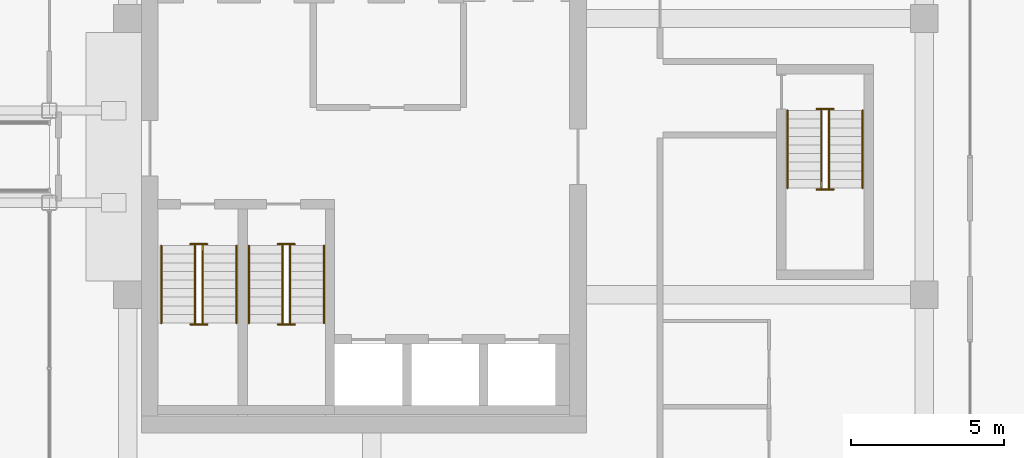
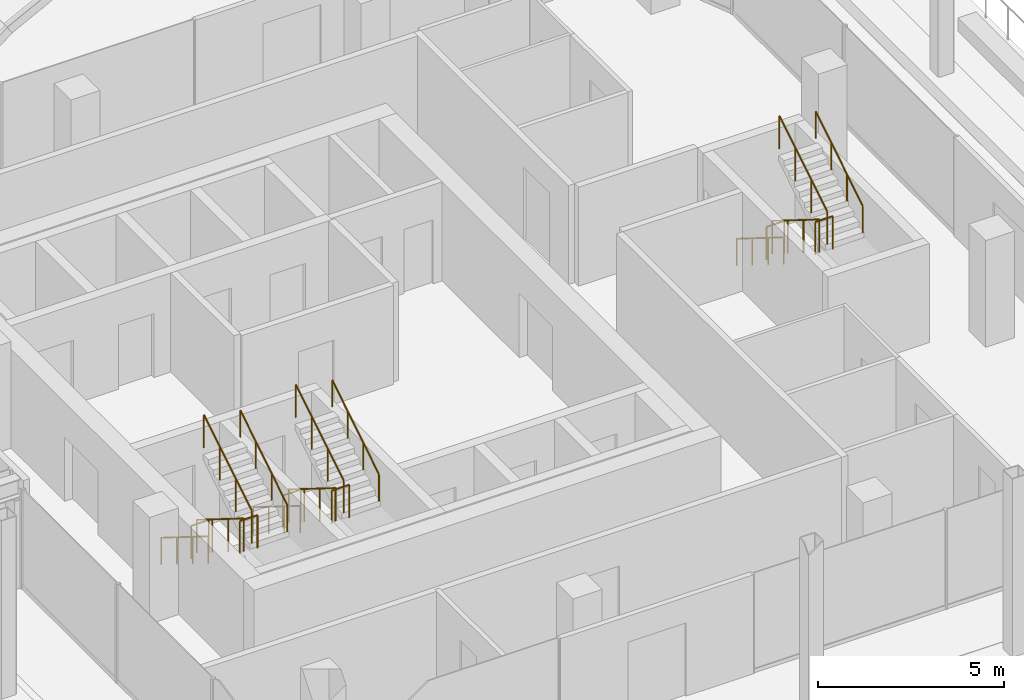
# One storey, part 33 of 33: 18 railings.
"""IFC4 building model written with IfcOpenShell, lengths in metres."""

import ifcopenshell
import ifcopenshell.guid

model = None  # the IFC model being written
_history = None  # IfcOwnerHistory: only IFC2X3 demands one
_inside = {}  # id of a spatial element -> (the spatial element, [elements in it])
_under = {}  # id of a project, library or spatial element -> (it, [spatial elements below it])
_declared = {}  # id of a project -> (the project, [libraries it declares])
_typed = {}  # id of a type object -> (the type object, [elements of that type])
_made_of = {}  # id of a material, layer set ... -> (it, [elements and type objects made of it])


def new_model(schema):
    """Start an empty IFC model of exactly this schema.

    Asked for "IFC4X3", IfcOpenShell would pick the latest addendum, in which some entities
    have other attributes; the version numbers below select the first issue.
    IFC2X3 requires an IfcOwnerHistory on every rooted entity: one is made here for all.
    """
    global model, _history
    if schema == "IFC4X3":
        model = ifcopenshell.file(schema_version=(4, 3, 0, 0))
    else:
        model = ifcopenshell.file(schema=schema)
    _inside.clear()
    _under.clear()
    _declared.clear()
    _typed.clear()
    _made_of.clear()
    _history = None
    if model.schema == "IFC2X3":
        org = make("IfcOrganization", Name="unknown")
        user = make(
            "IfcPersonAndOrganization",
            ThePerson=make("IfcPerson", FamilyName="unknown"),
            TheOrganization=org,
        )
        app = make(
            "IfcApplication",
            ApplicationDeveloper=org,
            Version="unknown",
            ApplicationFullName="unknown",
            ApplicationIdentifier="unknown",
        )
        _history = make(
            "IfcOwnerHistory",
            OwningUser=user,
            OwningApplication=app,
            ChangeAction="ADDED",
            CreationDate=0,
        )
    return model


def make(cls, **values):
    """One entity of the class cls with the attributes given. An attribute that is None is left unset."""
    return model.create_entity(
        cls, **{name: value for name, value in values.items() if value is not None}
    )


def rooted(cls, **values):
    """An entity with a GlobalId (a new one), such as an element, a storey or a relation."""
    return make(cls, GlobalId=ifcopenshell.guid.new(), OwnerHistory=_history, **values)


def si_unit(unit_type, name, prefix=None):
    """IfcSIUnit, for example si_unit("LENGTHUNIT", "METRE", prefix="MILLI")."""
    return make("IfcSIUnit", UnitType=unit_type, Prefix=prefix, Name=name)


def assignment(units):
    """IfcUnitAssignment: the units of a project."""
    return None if units is None else make("IfcUnitAssignment", Units=units)


def point(xyz):
    """IfcCartesianPoint."""
    return None if xyz is None else make("IfcCartesianPoint", Coordinates=xyz)


def direction(xyz):
    """IfcDirection."""
    return None if xyz is None else make("IfcDirection", DirectionRatios=xyz)


def frame(location, z_axis=None, x_axis=None):
    """IfcAxis2Placement3D, a coordinate frame: its origin and axes. An axis left out is left unset."""
    return make(
        "IfcAxis2Placement3D",
        Location=point(location),
        Axis=direction(z_axis),
        RefDirection=direction(x_axis),
    )


def frame_2d(location, x_axis=None):
    """IfcAxis2Placement2D, a coordinate frame in the plane: its origin and x axis."""
    return make(
        "IfcAxis2Placement2D", Location=point(location), RefDirection=direction(x_axis)
    )


def origin():
    """The frame at (0, 0, 0) with its axes left unset."""
    return frame((0.0, 0.0, 0.0))


def origin_2d():
    """The frame at (0, 0) in the plane with its x axis left unset."""
    return frame_2d((0.0, 0.0))


def place(relative_to, where):
    """IfcLocalPlacement: puts the frame where relative to a parent placement (None: the world)."""
    return make(
        "IfcLocalPlacement", PlacementRelTo=relative_to, RelativePlacement=where
    )


def context(
    kind, dimensions, precision=None, world=None, true_north=None, identifier=None
):
    """IfcGeometricRepresentationContext, for example the 3D "Model" context."""
    return make(
        "IfcGeometricRepresentationContext",
        ContextIdentifier=identifier,
        ContextType=kind,
        CoordinateSpaceDimension=dimensions,
        Precision=precision,
        WorldCoordinateSystem=world,
        TrueNorth=true_north,
    )


def subcontext(parent, identifier, kind, view, scale=None):
    """IfcGeometricRepresentationSubContext, for example "Body" below "Model"."""
    return make(
        "IfcGeometricRepresentationSubContext",
        ContextIdentifier=identifier,
        ContextType=kind,
        ParentContext=parent,
        TargetScale=scale,
        TargetView=view,
    )


def project(units=None, contexts=None):
    """IfcProject with its units and contexts."""
    return rooted(
        "IfcProject",
        Name="project",
        RepresentationContexts=contexts,
        UnitsInContext=assignment(units),
    )


def spatial(cls, under=None, at=None, **own):
    """A site, building, storey or space (cls), placed at a placement, below another one or the project."""
    s = rooted(cls, ObjectPlacement=at, **own)
    if under is not None:
        _under.setdefault(under.id(), (under, []))[1].append(s)
    return s


def profile(cls, at=None, kind="AREA", **sizes):
    """A parametric profile (cls). Its sizes go by their IFC names, for example OverallWidth=200.0."""
    return make(cls, ProfileType=kind, Position=at, **sizes)


def circle(**sizes):
    """IfcCircleProfileDef."""
    return profile("IfcCircleProfileDef", **sizes)


def extrude(swept, where, along, depth):
    """IfcExtrudedAreaSolid: the profile swept, set in the frame where, extruded along a direction by depth."""
    return make(
        "IfcExtrudedAreaSolid",
        SweptArea=swept,
        Position=where,
        ExtrudedDirection=direction(along),
        Depth=depth,
    )


def shape(context_of_items, identifier, shape_type, items):
    """IfcShapeRepresentation: the items that make up one representation, for example the "Body"."""
    return make(
        "IfcShapeRepresentation",
        ContextOfItems=context_of_items,
        RepresentationIdentifier=identifier,
        RepresentationType=shape_type,
        Items=items,
    )


def material(Name=None, Category=None):
    """IfcMaterial."""
    return make("IfcMaterial", Name=Name, Category=Category)


def made_of(thing, what):
    """Note that an element or type object is made of a material, layer set ...; save() writes the relation."""
    if what is not None:
        _made_of.setdefault(what.id(), (what, []))[1].append(thing)
    return thing


def type_object(cls, material=None, **own):
    """A type object (cls), such as IfcWallType, which elements share."""
    return made_of(rooted(cls, **own), material)


def element(
    cls,
    number,
    at=None,
    inside=None,
    cuts=None,
    type_object=None,
    material=None,
    context=None,
    identifier="Body",
    shape_type=None,
    held_by="IfcProductDefinitionShape",
    body=None,
    shapes=None,
    **own,
):
    """One element of the class cls, such as IfcWall. Its Tag is "e" and its number.

    at: its placement. inside: the storey or other place that contains it. cuts: it is an
    opening in that element (IfcRelVoidsElement). A single representation is given by context,
    identifier, shape_type and body (its items); several are given by shapes. held_by: the class
    of the entity that holds the representations. save() writes the other relations.
    """
    e = rooted(cls, Tag="e%d" % number, ObjectPlacement=at, **own)
    if body is not None:
        shapes = [shape(context, identifier, shape_type, body)]
    if shapes is not None:
        e.Representation = make(held_by, Representations=shapes)
    if inside is not None:
        _inside.setdefault(inside.id(), (inside, []))[1].append(e)
    if cuts is not None:
        rooted(
            "IfcRelVoidsElement", RelatingBuildingElement=cuts, RelatedOpeningElement=e
        )
    if type_object is not None:
        _typed.setdefault(type_object.id(), (type_object, []))[1].append(e)
    return made_of(e, material)


def aggregate(whole, parts):
    """IfcRelAggregates: a whole, such as a stair, and the parts it consists of."""
    return rooted("IfcRelAggregates", RelatingObject=whole, RelatedObjects=parts)


def save(model, path):
    """Write the relations noted so far, then the file.

    IfcRelAggregates (storeys below a building ...), IfcRelContainedInSpatialStructure (elements
    in a storey), IfcRelDefinesByType, IfcRelAssociatesMaterial and IfcRelDeclares: one each for
    every whole, place, type object, material and project.
    """
    for whole, parts in _under.values():
        aggregate(whole, parts)
    for where, things in _inside.values():
        rooted(
            "IfcRelContainedInSpatialStructure",
            RelatedElements=things,
            RelatingStructure=where,
        )
    for kind, things in _typed.values():
        rooted("IfcRelDefinesByType", RelatedObjects=things, RelatingType=kind)
    for what, things in _made_of.values():
        rooted("IfcRelAssociatesMaterial", RelatedObjects=things, RelatingMaterial=what)
    for by, libraries in _declared.values():
        rooted("IfcRelDeclares", RelatingContext=by, RelatedDefinitions=libraries)
    model.write(path)


model = new_model("IFC4")

# Units and contexts
model_context = context("Model", 3, precision=1e-05, world=origin(), true_north=direction((0.0, 1.0)))
body_context = subcontext(model_context, "Body", "Model", "MODEL_VIEW")
ifc_project = project(units=[si_unit("LENGTHUNIT", "METRE"), si_unit("AREAUNIT", "SQUARE_METRE"), si_unit("VOLUMEUNIT", "CUBIC_METRE"), si_unit("PLANEANGLEUNIT", "RADIAN"), si_unit("MASSUNIT", "GRAM", prefix="KILO")], contexts=[model_context])

# Site, building, storey
site_placement = place(None, origin())
site = spatial("IfcSite", under=ifc_project, at=site_placement, CompositionType="ELEMENT")
building_placement = place(site_placement, origin())
building = spatial("IfcBuilding", under=site, at=building_placement, Name="Plateau Cross Towers", CompositionType="ELEMENT")
storey_placement = place(building_placement, frame((0.0, 0.0, 26.800048828125)))
storey = spatial("IfcBuildingStorey", under=building, at=storey_placement, Name="L05", CompositionType="ELEMENT", Elevation=26.800048828125)

# Railings
ifc_material_1 = material(Name="Stainless steel and toughened glass", Category="steel")
railing_type_1 = type_object("IfcRailingType", Name="RL-GUARD-1100", PredefinedType="GUARDRAIL", material=ifc_material_1)
railing_1_placement = place(storey_placement, frame((76.75, 6.10009765625, 0.175048828125)))
element("IfcRailing", 1, at=railing_1_placement, inside=storey, type_object=railing_type_1, Name="L05 SB-1 stair guard 1", PredefinedType="GUARDRAIL", context=body_context, shape_type="SweptSolid", body=[
    extrude(circle(Radius=0.02392578125, at=origin_2d()), frame((0.0, 0.0, 1.076171875), z_axis=(0.0, -0.848007534815, 0.529984170421), x_axis=(1.0, 0.0, 0.0)), (0.0, 0.0, 1.0), 2.9716796875),
    extrude(circle(Radius=0.02099609375, at=origin_2d()), origin(), (0.0, 0.0, 1.0), 1.052001953125),
    extrude(circle(Radius=0.02099609375, at=origin_2d()), frame((0.0, -0.840087890625, 0.52490234375)), (0.0, 0.0, 1.0), 1.052001953125),
    extrude(circle(Radius=0.02099609375, at=origin_2d()), frame((0.0, -1.679931640625, 1.050048828125)), (0.0, 0.0, 1.0), 1.052001953125),
    extrude(circle(Radius=0.02099609375, at=origin_2d()), frame((0.0, -2.52001953125, 1.574951171875)), (0.0, 0.0, 1.0), 1.052001953125),
])
railing_2_placement = place(storey_placement, frame((76.60009765625, 3.530029296875, 1.75)))
element("IfcRailing", 2, at=railing_2_placement, inside=storey, type_object=railing_type_1, Name="L05 SB-1 stair guard 2", PredefinedType="GUARDRAIL", context=body_context, shape_type="SweptSolid", body=[
    extrude(circle(Radius=0.02392578125, at=origin_2d()), frame((0.0, 0.0, 1.076171875), z_axis=(1.0, 0.0, 0.0), x_axis=(0.0, 1.0, 0.0)), (0.0, 0.0, 1.0), 0.5498046875),
    extrude(circle(Radius=0.02099609375, at=origin_2d()), origin(), (0.0, 0.0, 1.0), 1.052001953125),
    extrude(circle(Radius=0.02099609375, at=origin_2d()), frame((0.5498046875, 0.0, 0.0)), (0.0, 0.0, 1.0), 1.052001953125),
])
railing_3_placement = place(storey_placement, frame((77.0, 3.580078125, 1.925048828125)))
element("IfcRailing", 3, at=railing_3_placement, inside=storey, type_object=railing_type_1, Name="L05 SB-1 stair guard 3", PredefinedType="GUARDRAIL", context=body_context, shape_type="SweptSolid", body=[
    extrude(circle(Radius=0.02392578125, at=origin_2d()), frame((0.0, 0.0, 1.076171875), z_axis=(0.0, 0.852616386126, 0.522537365276), x_axis=(-1.0, 0.0, 0.0)), (0.0, 0.0, 1.0), 3.01416015625),
    extrude(circle(Radius=0.02099609375, at=origin_2d()), origin(), (0.0, 0.0, 1.0), 1.052001953125),
    extrude(circle(Radius=0.02099609375, at=origin_2d()), frame((0.0, 0.856689453125, 0.52490234375)), (0.0, 0.0, 1.0), 1.052001953125),
    extrude(circle(Radius=0.02099609375, at=origin_2d()), frame((0.0, 1.713134765625, 1.050048828125)), (0.0, 0.0, 1.0), 1.052001953125),
    extrude(circle(Radius=0.02099609375, at=origin_2d()), frame((0.0, 2.56982421875, 1.574951171875)), (0.0, 0.0, 1.0), 1.052001953125),
])
railing_4_placement = place(storey_placement, frame((76.60009765625, 6.14990234375, 0.0)))
element("IfcRailing", 4, at=railing_4_placement, inside=storey, type_object=railing_type_1, Name="L05 SB-1 stair guard 4", PredefinedType="GUARDRAIL", context=body_context, shape_type="SweptSolid", body=[
    extrude(circle(Radius=0.02392578125, at=origin_2d()), frame((0.0, 0.0, 1.076171875), z_axis=(1.0, 0.0, 0.0), x_axis=(0.0, 1.0, 0.0)), (0.0, 0.0, 1.0), 0.5498046875),
    extrude(circle(Radius=0.02099609375, at=origin_2d()), origin(), (0.0, 0.0, 1.0), 1.052001953125),
    extrude(circle(Radius=0.02099609375, at=origin_2d()), frame((0.5498046875, 0.0, 0.0)), (0.0, 0.0, 1.0), 1.052001953125),
])
railing_5_placement = place(storey_placement, frame((79.60009765625, 6.10009765625, 0.175048828125)))
element("IfcRailing", 5, at=railing_5_placement, inside=storey, type_object=railing_type_1, Name="L05 SB-2 stair guard 1", PredefinedType="GUARDRAIL", context=body_context, shape_type="SweptSolid", body=[
    extrude(circle(Radius=0.02392578125, at=origin_2d()), frame((0.0, 0.0, 1.076171875), z_axis=(0.0, -0.848007534815, 0.529984170421), x_axis=(1.0, 0.0, 0.0)), (0.0, 0.0, 1.0), 2.9716796875),
    extrude(circle(Radius=0.02099609375, at=origin_2d()), origin(), (0.0, 0.0, 1.0), 1.052001953125),
    extrude(circle(Radius=0.02099609375, at=origin_2d()), frame((0.0, -0.840087890625, 0.52490234375)), (0.0, 0.0, 1.0), 1.052001953125),
    extrude(circle(Radius=0.02099609375, at=origin_2d()), frame((0.0, -1.679931640625, 1.050048828125)), (0.0, 0.0, 1.0), 1.052001953125),
    extrude(circle(Radius=0.02099609375, at=origin_2d()), frame((0.0, -2.52001953125, 1.574951171875)), (0.0, 0.0, 1.0), 1.052001953125),
])
railing_6_placement = place(storey_placement, frame((79.449951171875, 3.530029296875, 1.75)))
element("IfcRailing", 6, at=railing_6_placement, inside=storey, type_object=railing_type_1, Name="L05 SB-2 stair guard 2", PredefinedType="GUARDRAIL", context=body_context, shape_type="SweptSolid", body=[
    extrude(circle(Radius=0.02392578125, at=origin_2d()), frame((0.0, 0.0, 1.076171875), z_axis=(1.0, 0.0, 0.0), x_axis=(0.0, 1.0, 0.0)), (0.0, 0.0, 1.0), 0.550048828125),
    extrude(circle(Radius=0.02099609375, at=origin_2d()), origin(), (0.0, 0.0, 1.0), 1.052001953125),
    extrude(circle(Radius=0.02099609375, at=origin_2d()), frame((0.550048828125, 0.0, 0.0)), (0.0, 0.0, 1.0), 1.052001953125),
])
railing_7_placement = place(storey_placement, frame((79.85009765625, 3.580078125, 1.925048828125)))
element("IfcRailing", 7, at=railing_7_placement, inside=storey, type_object=railing_type_1, Name="L05 SB-2 stair guard 3", PredefinedType="GUARDRAIL", context=body_context, shape_type="SweptSolid", body=[
    extrude(circle(Radius=0.02392578125, at=origin_2d()), frame((0.0, 0.0, 1.076171875), z_axis=(0.0, 0.852616386126, 0.522537365276), x_axis=(-1.0, 0.0, 0.0)), (0.0, 0.0, 1.0), 3.01416015625),
    extrude(circle(Radius=0.02099609375, at=origin_2d()), origin(), (0.0, 0.0, 1.0), 1.052001953125),
    extrude(circle(Radius=0.02099609375, at=origin_2d()), frame((0.0, 0.856689453125, 0.52490234375)), (0.0, 0.0, 1.0), 1.052001953125),
    extrude(circle(Radius=0.02099609375, at=origin_2d()), frame((0.0, 1.713134765625, 1.050048828125)), (0.0, 0.0, 1.0), 1.052001953125),
    extrude(circle(Radius=0.02099609375, at=origin_2d()), frame((0.0, 2.56982421875, 1.574951171875)), (0.0, 0.0, 1.0), 1.052001953125),
])
railing_8_placement = place(storey_placement, frame((79.449951171875, 6.14990234375, 0.0)))
element("IfcRailing", 8, at=railing_8_placement, inside=storey, type_object=railing_type_1, Name="L05 SB-2 stair guard 4", PredefinedType="GUARDRAIL", context=body_context, shape_type="SweptSolid", body=[
    extrude(circle(Radius=0.02392578125, at=origin_2d()), frame((0.0, 0.0, 1.076171875), z_axis=(1.0, 0.0, 0.0), x_axis=(0.0, 1.0, 0.0)), (0.0, 0.0, 1.0), 0.550048828125),
    extrude(circle(Radius=0.02099609375, at=origin_2d()), origin(), (0.0, 0.0, 1.0), 1.052001953125),
    extrude(circle(Radius=0.02099609375, at=origin_2d()), frame((0.550048828125, 0.0, 0.0)), (0.0, 0.0, 1.0), 1.052001953125),
])
railing_9_placement = place(storey_placement, frame((97.14990234375, 10.5, 0.175048828125)))
element("IfcRailing", 9, at=railing_9_placement, inside=storey, type_object=railing_type_1, Name="L05 SB-3 stair guard 1", PredefinedType="GUARDRAIL", context=body_context, shape_type="SweptSolid", body=[
    extrude(circle(Radius=0.02392578125, at=origin_2d()), frame((0.0, 0.0, 1.076171875), z_axis=(0.0, -0.848007534815, 0.529984170421), x_axis=(1.0, 0.0, 0.0)), (0.0, 0.0, 1.0), 2.9716796875),
    extrude(circle(Radius=0.02099609375, at=origin_2d()), origin(), (0.0, 0.0, 1.0), 1.052001953125),
    extrude(circle(Radius=0.02099609375, at=origin_2d()), frame((0.0, -0.840087890625, 0.52490234375)), (0.0, 0.0, 1.0), 1.052001953125),
    extrude(circle(Radius=0.02099609375, at=origin_2d()), frame((0.0, -1.679931640625, 1.050048828125)), (0.0, 0.0, 1.0), 1.052001953125),
    extrude(circle(Radius=0.02099609375, at=origin_2d()), frame((0.0, -2.52001953125, 1.574951171875)), (0.0, 0.0, 1.0), 1.052001953125),
])
railing_10_placement = place(storey_placement, frame((97.0, 7.929931640625, 1.75)))
element("IfcRailing", 10, at=railing_10_placement, inside=storey, type_object=railing_type_1, Name="L05 SB-3 stair guard 2", PredefinedType="GUARDRAIL", context=body_context, shape_type="SweptSolid", body=[
    extrude(circle(Radius=0.02392578125, at=origin_2d()), frame((0.0, 0.0, 1.076171875), z_axis=(1.0, 0.0, 0.0), x_axis=(0.0, 1.0, 0.0)), (0.0, 0.0, 1.0), 0.550048828125),
    extrude(circle(Radius=0.02099609375, at=origin_2d()), origin(), (0.0, 0.0, 1.0), 1.052001953125),
    extrude(circle(Radius=0.02099609375, at=origin_2d()), frame((0.550048828125, 0.0, 0.0)), (0.0, 0.0, 1.0), 1.052001953125),
])
railing_11_placement = place(storey_placement, frame((97.39990234375, 7.97998046875, 1.925048828125)))
element("IfcRailing", 11, at=railing_11_placement, inside=storey, type_object=railing_type_1, Name="L05 SB-3 stair guard 3", PredefinedType="GUARDRAIL", context=body_context, shape_type="SweptSolid", body=[
    extrude(circle(Radius=0.02392578125, at=origin_2d()), frame((0.0, 0.0, 1.076171875), z_axis=(0.0, 0.852638500773, 0.522501279423), x_axis=(-1.0, 0.0, 0.0)), (0.0, 0.0, 1.0), 3.01416015625),
    extrude(circle(Radius=0.02099609375, at=origin_2d()), origin(), (0.0, 0.0, 1.0), 1.052001953125),
    extrude(circle(Radius=0.02099609375, at=origin_2d()), frame((0.0, 0.856689453125, 0.52490234375)), (0.0, 0.0, 1.0), 1.052001953125),
    extrude(circle(Radius=0.02099609375, at=origin_2d()), frame((0.0, 1.71337890625, 1.050048828125)), (0.0, 0.0, 1.0), 1.052001953125),
    extrude(circle(Radius=0.02099609375, at=origin_2d()), frame((0.0, 2.570068359375, 1.574951171875)), (0.0, 0.0, 1.0), 1.052001953125),
])
railing_12_placement = place(storey_placement, frame((97.0, 10.550048828125, 0.0)))
element("IfcRailing", 12, at=railing_12_placement, inside=storey, type_object=railing_type_1, Name="L05 SB-3 stair guard 4", PredefinedType="GUARDRAIL", context=body_context, shape_type="SweptSolid", body=[
    extrude(circle(Radius=0.02392578125, at=origin_2d()), frame((0.0, 0.0, 1.076171875), z_axis=(1.0, 0.0, 0.0), x_axis=(0.0, 1.0, 0.0)), (0.0, 0.0, 1.0), 0.550048828125),
    extrude(circle(Radius=0.02099609375, at=origin_2d()), origin(), (0.0, 0.0, 1.0), 1.052001953125),
    extrude(circle(Radius=0.02099609375, at=origin_2d()), frame((0.550048828125, 0.0, 0.0)), (0.0, 0.0, 1.0), 1.052001953125),
])
ifc_material_2 = material(Name="Black anodised aluminium", Category="aluminium")
railing_type_2 = type_object("IfcRailingType", Name="RL-HANDRAIL-900", PredefinedType="HANDRAIL", material=ifc_material_2)
railing_13_placement = place(storey_placement, frame((75.64990234375, 6.10009765625, 0.175048828125)))
element("IfcRailing", 13, at=railing_13_placement, inside=storey, type_object=railing_type_2, Name="L05 SB-1 stair handrail 1", PredefinedType="HANDRAIL", context=body_context, shape_type="SweptSolid", body=[
    extrude(circle(Radius=0.02392578125, at=origin_2d()), frame((0.0, 0.0, 0.8759765625), z_axis=(0.0, -0.848007534815, 0.529984170421), x_axis=(1.0, 0.0, 0.0)), (0.0, 0.0, 1.0), 2.9716796875),
    extrude(circle(Radius=0.02099609375, at=origin_2d()), origin(), (0.0, 0.0, 1.0), 0.851806640625),
    extrude(circle(Radius=0.02099609375, at=origin_2d()), frame((0.0, -0.840087890625, 0.52490234375)), (0.0, 0.0, 1.0), 0.851806640625),
    extrude(circle(Radius=0.02099609375, at=origin_2d()), frame((0.0, -1.679931640625, 1.050048828125)), (0.0, 0.0, 1.0), 0.851806640625),
    extrude(circle(Radius=0.02099609375, at=origin_2d()), frame((0.0, -2.52001953125, 1.574951171875)), (0.0, 0.0, 1.0), 0.851806640625),
])
railing_14_placement = place(storey_placement, frame((78.10009765625, 3.580078125, 1.925048828125)))
element("IfcRailing", 14, at=railing_14_placement, inside=storey, type_object=railing_type_2, Name="L05 SB-1 stair handrail 2", PredefinedType="HANDRAIL", context=body_context, shape_type="SweptSolid", body=[
    extrude(circle(Radius=0.02392578125, at=origin_2d()), frame((0.0, 0.0, 0.8759765625), z_axis=(0.0, 0.848007534815, 0.529984170421), x_axis=(-1.0, 0.0, 0.0)), (0.0, 0.0, 1.0), 2.9716796875),
    extrude(circle(Radius=0.02099609375, at=origin_2d()), origin(), (0.0, 0.0, 1.0), 0.851806640625),
    extrude(circle(Radius=0.02099609375, at=origin_2d()), frame((0.0, 0.840087890625, 0.52490234375)), (0.0, 0.0, 1.0), 0.851806640625),
    extrude(circle(Radius=0.02099609375, at=origin_2d()), frame((0.0, 1.679931640625, 1.050048828125)), (0.0, 0.0, 1.0), 0.851806640625),
    extrude(circle(Radius=0.02099609375, at=origin_2d()), frame((0.0, 2.52001953125, 1.574951171875)), (0.0, 0.0, 1.0), 0.851806640625),
])
railing_15_placement = place(storey_placement, frame((78.5, 6.10009765625, 0.175048828125)))
element("IfcRailing", 15, at=railing_15_placement, inside=storey, type_object=railing_type_2, Name="L05 SB-2 stair handrail 1", PredefinedType="HANDRAIL", context=body_context, shape_type="SweptSolid", body=[
    extrude(circle(Radius=0.02392578125, at=origin_2d()), frame((0.0, 0.0, 0.8759765625), z_axis=(0.0, -0.848007534815, 0.529984170421), x_axis=(1.0, 0.0, 0.0)), (0.0, 0.0, 1.0), 2.9716796875),
    extrude(circle(Radius=0.02099609375, at=origin_2d()), origin(), (0.0, 0.0, 1.0), 0.851806640625),
    extrude(circle(Radius=0.02099609375, at=origin_2d()), frame((0.0, -0.840087890625, 0.52490234375)), (0.0, 0.0, 1.0), 0.851806640625),
    extrude(circle(Radius=0.02099609375, at=origin_2d()), frame((0.0, -1.679931640625, 1.050048828125)), (0.0, 0.0, 1.0), 0.851806640625),
    extrude(circle(Radius=0.02099609375, at=origin_2d()), frame((0.0, -2.52001953125, 1.574951171875)), (0.0, 0.0, 1.0), 0.851806640625),
])
railing_16_placement = place(storey_placement, frame((80.949951171875, 3.580078125, 1.925048828125)))
element("IfcRailing", 16, at=railing_16_placement, inside=storey, type_object=railing_type_2, Name="L05 SB-2 stair handrail 2", PredefinedType="HANDRAIL", context=body_context, shape_type="SweptSolid", body=[
    extrude(circle(Radius=0.02392578125, at=origin_2d()), frame((0.0, 0.0, 0.8759765625), z_axis=(0.0, 0.848007534815, 0.529984170421), x_axis=(-1.0, 0.0, 0.0)), (0.0, 0.0, 1.0), 2.9716796875),
    extrude(circle(Radius=0.02099609375, at=origin_2d()), origin(), (0.0, 0.0, 1.0), 0.851806640625),
    extrude(circle(Radius=0.02099609375, at=origin_2d()), frame((0.0, 0.840087890625, 0.52490234375)), (0.0, 0.0, 1.0), 0.851806640625),
    extrude(circle(Radius=0.02099609375, at=origin_2d()), frame((0.0, 1.679931640625, 1.050048828125)), (0.0, 0.0, 1.0), 0.851806640625),
    extrude(circle(Radius=0.02099609375, at=origin_2d()), frame((0.0, 2.52001953125, 1.574951171875)), (0.0, 0.0, 1.0), 0.851806640625),
])
railing_17_placement = place(storey_placement, frame((96.050048828125, 10.5, 0.175048828125)))
element("IfcRailing", 17, at=railing_17_placement, inside=storey, type_object=railing_type_2, Name="L05 SB-3 stair handrail 1", PredefinedType="HANDRAIL", context=body_context, shape_type="SweptSolid", body=[
    extrude(circle(Radius=0.02392578125, at=origin_2d()), frame((0.0, 0.0, 0.8759765625), z_axis=(0.0, -0.848007534815, 0.529984170421), x_axis=(1.0, 0.0, 0.0)), (0.0, 0.0, 1.0), 2.9716796875),
    extrude(circle(Radius=0.02099609375, at=origin_2d()), origin(), (0.0, 0.0, 1.0), 0.851806640625),
    extrude(circle(Radius=0.02099609375, at=origin_2d()), frame((0.0, -0.840087890625, 0.52490234375)), (0.0, 0.0, 1.0), 0.851806640625),
    extrude(circle(Radius=0.02099609375, at=origin_2d()), frame((0.0, -1.679931640625, 1.050048828125)), (0.0, 0.0, 1.0), 0.851806640625),
    extrude(circle(Radius=0.02099609375, at=origin_2d()), frame((0.0, -2.52001953125, 1.574951171875)), (0.0, 0.0, 1.0), 0.851806640625),
])
railing_18_placement = place(storey_placement, frame((98.5, 7.97998046875, 1.925048828125)))
element("IfcRailing", 18, at=railing_18_placement, inside=storey, type_object=railing_type_2, Name="L05 SB-3 stair handrail 2", PredefinedType="HANDRAIL", context=body_context, shape_type="SweptSolid", body=[
    extrude(circle(Radius=0.02392578125, at=origin_2d()), frame((0.0, 0.0, 0.8759765625), z_axis=(0.0, 0.848007534815, 0.529984170421), x_axis=(-1.0, 0.0, 0.0)), (0.0, 0.0, 1.0), 2.9716796875),
    extrude(circle(Radius=0.02099609375, at=origin_2d()), origin(), (0.0, 0.0, 1.0), 0.851806640625),
    extrude(circle(Radius=0.02099609375, at=origin_2d()), frame((0.0, 0.840087890625, 0.52490234375)), (0.0, 0.0, 1.0), 0.851806640625),
    extrude(circle(Radius=0.02099609375, at=origin_2d()), frame((0.0, 1.679931640625, 1.050048828125)), (0.0, 0.0, 1.0), 0.851806640625),
    extrude(circle(Radius=0.02099609375, at=origin_2d()), frame((0.0, 2.52001953125, 1.574951171875)), (0.0, 0.0, 1.0), 0.851806640625),
])

save(model, "model.ifc")
